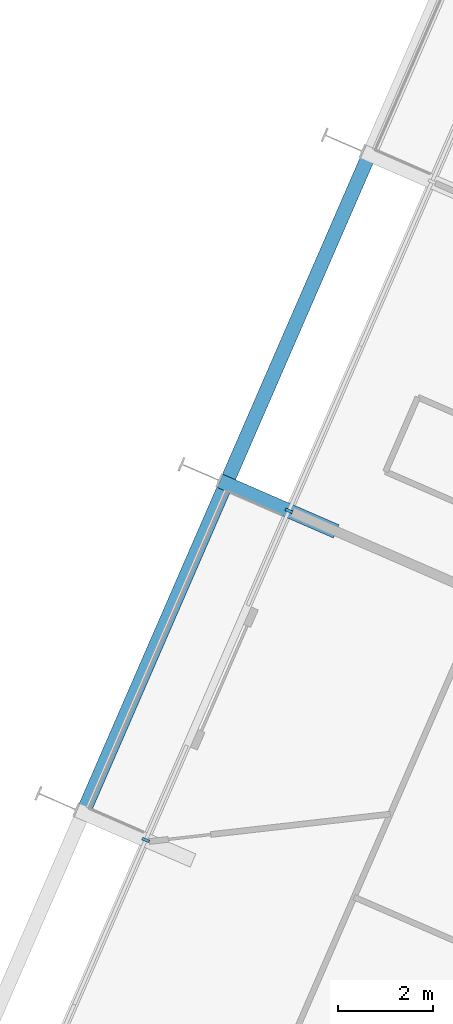
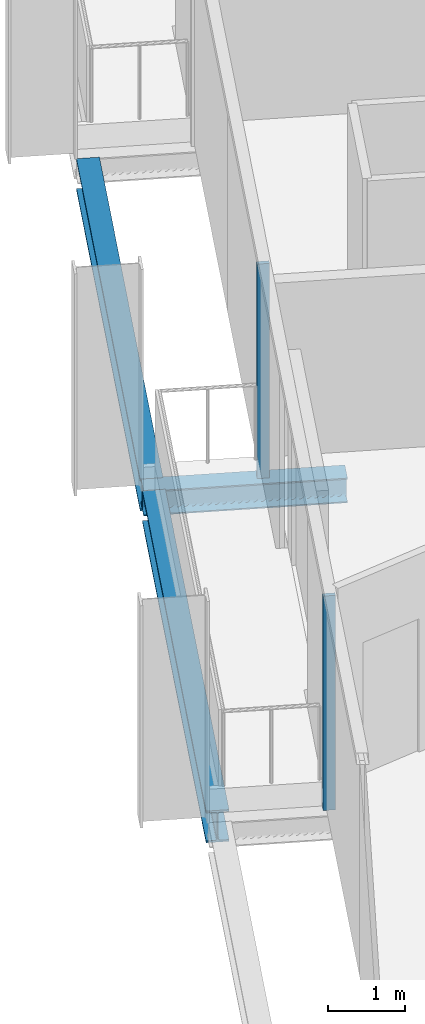
# One storey, part 5 of 21: 3 beams, 2 members, 1 element without a shape of its own.
"""IFC4 building model written with IfcOpenShell, lengths in metres."""

import ifcopenshell
import ifcopenshell.guid

model = None  # the IFC model being written
_history = None  # IfcOwnerHistory: only IFC2X3 demands one
_inside = {}  # id of a spatial element -> (the spatial element, [elements in it])
_under = {}  # id of a project, library or spatial element -> (it, [spatial elements below it])
_declared = {}  # id of a project -> (the project, [libraries it declares])
_typed = {}  # id of a type object -> (the type object, [elements of that type])
_made_of = {}  # id of a material, layer set ... -> (it, [elements and type objects made of it])


def new_model(schema):
    """Start an empty IFC model of exactly this schema.

    Asked for "IFC4X3", IfcOpenShell would pick the latest addendum, in which some entities
    have other attributes; the version numbers below select the first issue.
    IFC2X3 requires an IfcOwnerHistory on every rooted entity: one is made here for all.
    """
    global model, _history
    if schema == "IFC4X3":
        model = ifcopenshell.file(schema_version=(4, 3, 0, 0))
    else:
        model = ifcopenshell.file(schema=schema)
    _inside.clear()
    _under.clear()
    _declared.clear()
    _typed.clear()
    _made_of.clear()
    _history = None
    if model.schema == "IFC2X3":
        org = make("IfcOrganization", Name="unknown")
        user = make(
            "IfcPersonAndOrganization",
            ThePerson=make("IfcPerson", FamilyName="unknown"),
            TheOrganization=org,
        )
        app = make(
            "IfcApplication",
            ApplicationDeveloper=org,
            Version="unknown",
            ApplicationFullName="unknown",
            ApplicationIdentifier="unknown",
        )
        _history = make(
            "IfcOwnerHistory",
            OwningUser=user,
            OwningApplication=app,
            ChangeAction="ADDED",
            CreationDate=0,
        )
    return model


def make(cls, **values):
    """One entity of the class cls with the attributes given. An attribute that is None is left unset."""
    return model.create_entity(
        cls, **{name: value for name, value in values.items() if value is not None}
    )


def rooted(cls, **values):
    """An entity with a GlobalId (a new one), such as an element, a storey or a relation."""
    return make(cls, GlobalId=ifcopenshell.guid.new(), OwnerHistory=_history, **values)


def si_unit(unit_type, name, prefix=None):
    """IfcSIUnit, for example si_unit("LENGTHUNIT", "METRE", prefix="MILLI")."""
    return make("IfcSIUnit", UnitType=unit_type, Prefix=prefix, Name=name)


def assignment(units):
    """IfcUnitAssignment: the units of a project."""
    return None if units is None else make("IfcUnitAssignment", Units=units)


def point(xyz):
    """IfcCartesianPoint."""
    return None if xyz is None else make("IfcCartesianPoint", Coordinates=xyz)


def direction(xyz):
    """IfcDirection."""
    return None if xyz is None else make("IfcDirection", DirectionRatios=xyz)


def frame(location, z_axis=None, x_axis=None):
    """IfcAxis2Placement3D, a coordinate frame: its origin and axes. An axis left out is left unset."""
    return make(
        "IfcAxis2Placement3D",
        Location=point(location),
        Axis=direction(z_axis),
        RefDirection=direction(x_axis),
    )


def frame_2d(location, x_axis=None):
    """IfcAxis2Placement2D, a coordinate frame in the plane: its origin and x axis."""
    return make(
        "IfcAxis2Placement2D", Location=point(location), RefDirection=direction(x_axis)
    )


def origin():
    """The frame at (0, 0, 0) with its axes left unset."""
    return frame((0.0, 0.0, 0.0))


def origin_2d():
    """The frame at (0, 0) in the plane with its x axis left unset."""
    return frame_2d((0.0, 0.0))


def place(relative_to, where):
    """IfcLocalPlacement: puts the frame where relative to a parent placement (None: the world)."""
    return make(
        "IfcLocalPlacement", PlacementRelTo=relative_to, RelativePlacement=where
    )


def context(
    kind, dimensions, precision=None, world=None, true_north=None, identifier=None
):
    """IfcGeometricRepresentationContext, for example the 3D "Model" context."""
    return make(
        "IfcGeometricRepresentationContext",
        ContextIdentifier=identifier,
        ContextType=kind,
        CoordinateSpaceDimension=dimensions,
        Precision=precision,
        WorldCoordinateSystem=world,
        TrueNorth=true_north,
    )


def subcontext(parent, identifier, kind, view, scale=None):
    """IfcGeometricRepresentationSubContext, for example "Body" below "Model"."""
    return make(
        "IfcGeometricRepresentationSubContext",
        ContextIdentifier=identifier,
        ContextType=kind,
        ParentContext=parent,
        TargetScale=scale,
        TargetView=view,
    )


def project(units=None, contexts=None):
    """IfcProject with its units and contexts."""
    return rooted(
        "IfcProject",
        Name="project",
        RepresentationContexts=contexts,
        UnitsInContext=assignment(units),
    )


def spatial(cls, under=None, at=None, **own):
    """A site, building, storey or space (cls), placed at a placement, below another one or the project."""
    s = rooted(cls, ObjectPlacement=at, **own)
    if under is not None:
        _under.setdefault(under.id(), (under, []))[1].append(s)
    return s


def profile(cls, at=None, kind="AREA", **sizes):
    """A parametric profile (cls). Its sizes go by their IFC names, for example OverallWidth=200.0."""
    return make(cls, ProfileType=kind, Position=at, **sizes)


def rectangle(**sizes):
    """IfcRectangleProfileDef."""
    return profile("IfcRectangleProfileDef", **sizes)


def i_section(**sizes):
    """IfcIShapeProfileDef."""
    return profile("IfcIShapeProfileDef", **sizes)


def extrude(swept, where, along, depth):
    """IfcExtrudedAreaSolid: the profile swept, set in the frame where, extruded along a direction by depth."""
    return make(
        "IfcExtrudedAreaSolid",
        SweptArea=swept,
        Position=where,
        ExtrudedDirection=direction(along),
        Depth=depth,
    )


def shape(context_of_items, identifier, shape_type, items):
    """IfcShapeRepresentation: the items that make up one representation, for example the "Body"."""
    return make(
        "IfcShapeRepresentation",
        ContextOfItems=context_of_items,
        RepresentationIdentifier=identifier,
        RepresentationType=shape_type,
        Items=items,
    )


def material(Name=None, Category=None):
    """IfcMaterial."""
    return make("IfcMaterial", Name=Name, Category=Category)


def layer(
    of_material, thickness, ventilated=None, Name=None, Category=None, Priority=None
):
    """IfcMaterialLayer: one layer of a wall or slab, of a material (None: an air gap)."""
    return make(
        "IfcMaterialLayer",
        Material=of_material,
        LayerThickness=thickness,
        IsVentilated=ventilated,
        Name=Name,
        Category=Category,
        Priority=Priority,
    )


def layer_set(layers, Name=None):
    """IfcMaterialLayerSet."""
    return make("IfcMaterialLayerSet", MaterialLayers=layers, LayerSetName=Name)


def material_profile(
    of_material, cross_section, Name=None, Category=None, Priority=None
):
    """IfcMaterialProfile: a cross section and its material."""
    return make(
        "IfcMaterialProfile",
        Name=Name,
        Material=of_material,
        Profile=cross_section,
        Priority=Priority,
        Category=Category,
    )


def profile_set(profiles, Name=None, composite=None):
    """IfcMaterialProfileSet."""
    return make(
        "IfcMaterialProfileSet",
        Name=Name,
        MaterialProfiles=profiles,
        CompositeProfile=composite,
    )


def made_of(thing, what):
    """Note that an element or type object is made of a material, layer set ...; save() writes the relation."""
    if what is not None:
        _made_of.setdefault(what.id(), (what, []))[1].append(thing)
    return thing


def type_object(cls, material=None, **own):
    """A type object (cls), such as IfcWallType, which elements share."""
    return made_of(rooted(cls, **own), material)


def element(
    cls,
    number,
    at=None,
    inside=None,
    cuts=None,
    type_object=None,
    material=None,
    context=None,
    identifier="Body",
    shape_type=None,
    held_by="IfcProductDefinitionShape",
    body=None,
    shapes=None,
    **own,
):
    """One element of the class cls, such as IfcWall. Its Tag is "e" and its number.

    at: its placement. inside: the storey or other place that contains it. cuts: it is an
    opening in that element (IfcRelVoidsElement). A single representation is given by context,
    identifier, shape_type and body (its items); several are given by shapes. held_by: the class
    of the entity that holds the representations. save() writes the other relations.
    """
    e = rooted(cls, Tag="e%d" % number, ObjectPlacement=at, **own)
    if body is not None:
        shapes = [shape(context, identifier, shape_type, body)]
    if shapes is not None:
        e.Representation = make(held_by, Representations=shapes)
    if inside is not None:
        _inside.setdefault(inside.id(), (inside, []))[1].append(e)
    if cuts is not None:
        rooted(
            "IfcRelVoidsElement", RelatingBuildingElement=cuts, RelatedOpeningElement=e
        )
    if type_object is not None:
        _typed.setdefault(type_object.id(), (type_object, []))[1].append(e)
    return made_of(e, material)


def aggregate(whole, parts):
    """IfcRelAggregates: a whole, such as a stair, and the parts it consists of."""
    return rooted("IfcRelAggregates", RelatingObject=whole, RelatedObjects=parts)


def save(model, path):
    """Write the relations noted so far, then the file.

    IfcRelAggregates (storeys below a building ...), IfcRelContainedInSpatialStructure (elements
    in a storey), IfcRelDefinesByType, IfcRelAssociatesMaterial and IfcRelDeclares: one each for
    every whole, place, type object, material and project.
    """
    for whole, parts in _under.values():
        aggregate(whole, parts)
    for where, things in _inside.values():
        rooted(
            "IfcRelContainedInSpatialStructure",
            RelatedElements=things,
            RelatingStructure=where,
        )
    for kind, things in _typed.values():
        rooted("IfcRelDefinesByType", RelatedObjects=things, RelatingType=kind)
    for what, things in _made_of.values():
        rooted("IfcRelAssociatesMaterial", RelatedObjects=things, RelatingMaterial=what)
    for by, libraries in _declared.values():
        rooted("IfcRelDeclares", RelatingContext=by, RelatedDefinitions=libraries)
    model.write(path)


model = new_model("IFC4")

# Units and contexts
model_context = context("Model", 3, precision=1e-05, world=origin(), true_north=direction((0.0, 1.0)))
body_context = subcontext(model_context, "Body", "Model", "MODEL_VIEW")
ifc_project = project(units=[si_unit("LENGTHUNIT", "METRE"), si_unit("AREAUNIT", "SQUARE_METRE"), si_unit("VOLUMEUNIT", "CUBIC_METRE"), si_unit("PLANEANGLEUNIT", "RADIAN"), si_unit("MASSUNIT", "GRAM", prefix="KILO")], contexts=[model_context])

# Site, building, storey
site_placement = place(None, origin())
site = spatial("IfcSite", under=ifc_project, at=site_placement, CompositionType="ELEMENT")
building_placement = place(site_placement, origin())
building = spatial("IfcBuilding", under=site, at=building_placement, Name="Spindle Arch Residences", CompositionType="ELEMENT")
storey_placement = place(building_placement, frame((0.0, 0.0, 97.699951171875)))
storey = spatial("IfcBuildingStorey", under=building, at=storey_placement, Name="L23", CompositionType="ELEMENT", Elevation=97.699951171875)

# Curtain wall, members
ifc_material_1 = material(Name="Aluminium bronze unitised frame with tinted glass", Category="aluminium")
ifc_layer = layer(ifc_material_1, 0.159912109375)
ifc_layer_set = layer_set([ifc_layer], Name="CW-C typical residential unitised wall")
curtain_wall_type = type_object("IfcCurtainWallType", Name="CW-C typical residential unitised wall", PredefinedType="NOTDEFINED", material=ifc_layer_set)
curtain_wall_placement = place(storey_placement, origin())
curtain_wall = element("IfcCurtainWall", 1, at=curtain_wall_placement, inside=storey, type_object=curtain_wall_type, Name="CW-C L23 run 4", PredefinedType="NOTDEFINED")
ifc_material_2 = material(Name="Aluminium bronze anodised mullion", Category="aluminium")
ifc_material_profile_1 = material_profile(ifc_material_2, rectangle(XDim=0.159912109375, YDim=0.06005859375, at=origin_2d()), Name="MU 60x160")
ifc_profile_set_1 = profile_set([ifc_material_profile_1], Name="Aluminium bronze anodised mullion")
member_type = type_object("IfcMemberType", Name="Bronze mullion 60x160", PredefinedType="MULLION", material=ifc_profile_set_1)
member_1_placement = place(storey_placement, frame((-19.232666015625, 4.26318359375, -0.3798828125), z_axis=(0.0, 0.0, 1.0), x_axis=(0.917060074385, -0.398749068925, 0.0)))
member_1 = element("IfcMember", 2, at=member_1_placement, type_object=member_type, Name="CW-C mullion 16", PredefinedType="MULLION", context=body_context, shape_type="SweptSolid", body=[
    extrude(rectangle(XDim=0.159912109375, YDim=0.06005859375, at=origin_2d()), origin(), (0.0, 0.0, 1.0), 3.3798828125),
])
member_2_placement = place(storey_placement, frame((-22.23095703125, -2.632080078125, -0.3798828125), z_axis=(0.0, 0.0, 1.0), x_axis=(0.917060074385, -0.398749068925, 0.0)))
member_2 = element("IfcMember", 3, at=member_2_placement, type_object=member_type, Name="CW-C mullion 17", PredefinedType="MULLION", context=body_context, shape_type="SweptSolid", body=[
    extrude(rectangle(XDim=0.159912109375, YDim=0.06005859375, at=origin_2d()), origin(), (0.0, 0.0, 1.0), 3.3798828125),
])
aggregate(curtain_wall, [member_1, member_2])

# Beams
ifc_material_3 = material(Name="Steel S460ML, intumescent coating R 120", Category="steel")
ifc_material_profile_2 = material_profile(ifc_material_3, i_section(OverallWidth=0.300048828125, OverallDepth=0.5, WebThickness=0.014404296875, FlangeThickness=0.028076171875, FilletRadius=0.027099609375, at=origin_2d()), Name="HEB 500")
ifc_profile_set_2 = profile_set([ifc_material_profile_2], Name="Steel S460ML, intumescent coating R 120")
beam_type_1 = type_object("IfcBeamType", Name="Exoskeleton edge beam HEB 500", PredefinedType="BEAM", material=ifc_profile_set_2)
for number, where, z_axis, x_axis, name in (
    (4, (-17.6005859375, 11.610595703125, -0.6298828125), (-0.398760546857, -0.917055083553, 0.0), (0.917055083553, -0.398760546857, 0.0), "Exoskeleton edge beam 16"),
    (5, (-20.5986328125, 4.71533203125, -0.6298828125), (-0.398760546857, -0.917055083553, 0.0), (0.917055083553, -0.398760546857, 0.0), "Exoskeleton edge beam 17"),
):
    element("IfcBeam", number, at=place(storey_placement, frame(where, z_axis=z_axis, x_axis=x_axis)), inside=storey, type_object=beam_type_1, Name=name, PredefinedType="BEAM", context=body_context, shape_type="SweptSolid", body=[
        extrude(i_section(OverallWidth=0.300048828125, OverallDepth=0.5, WebThickness=0.014404296875, FlangeThickness=0.028076171875, FilletRadius=0.027099609375, at=origin_2d()), origin(), (0.0, 0.0, 1.0), 7.2587890625),
    ])
ifc_material_4 = material(Name="Steel S460ML, intumescent coating R 120", Category="steel")
ifc_material_profile_3 = material_profile(ifc_material_4, i_section(OverallWidth=0.300048828125, OverallDepth=0.389892578125, WebThickness=0.010986328125, FlangeThickness=0.01904296875, FilletRadius=0.027099609375, at=origin_2d()), Name="HEA 400")
ifc_profile_set_3 = profile_set([ifc_material_profile_3], Name="Steel S460ML, intumescent coating R 120")
beam_type_2 = type_object("IfcBeamType", Name="Floor outrigger HEA 400", PredefinedType="BEAM", material=ifc_profile_set_3)
beam_placement = place(storey_placement, frame((-20.672607421875, 4.889404296875, -0.574951171875), z_axis=(0.917045157424, -0.398783373831, 0.0), x_axis=(0.398783373831, 0.917045157424, 0.0)))
element("IfcBeam", 6, at=beam_placement, inside=storey, type_object=beam_type_2, Name="Floor outrigger 17", PredefinedType="BEAM", context=body_context, shape_type="SweptSolid", body=[
    extrude(i_section(OverallWidth=0.300048828125, OverallDepth=0.389892578125, WebThickness=0.010986328125, FlangeThickness=0.01904296875, FilletRadius=0.027099609375, at=origin_2d()), origin(), (0.0, 0.0, 1.0), 2.650390625),
])

save(model, "model.ifc")
